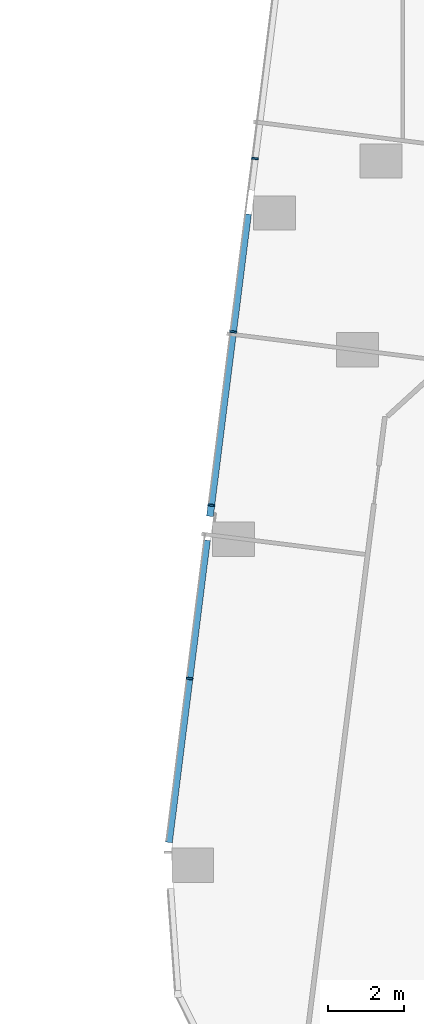
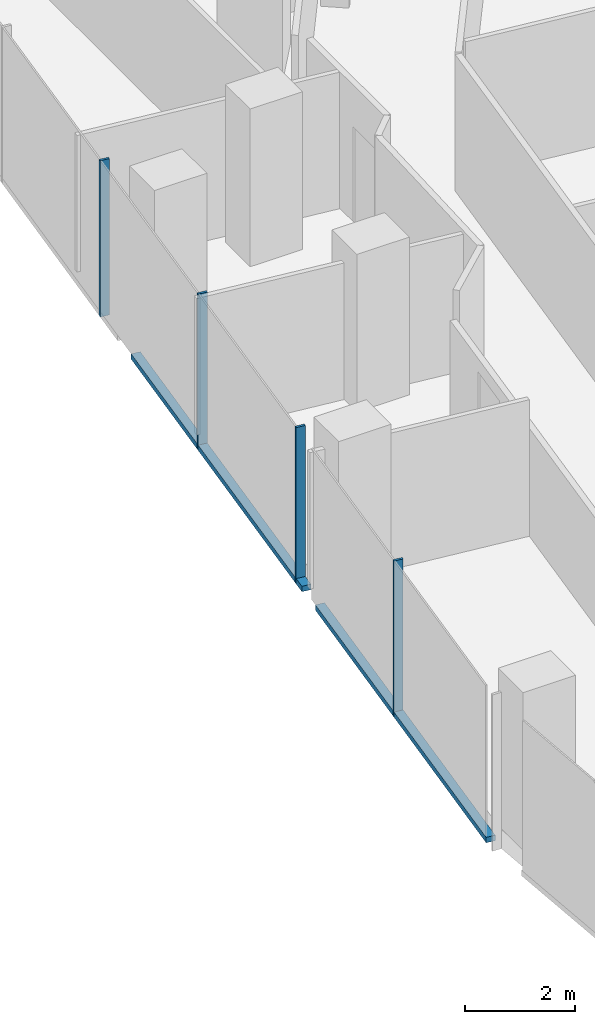
# One storey, part 3 of 27: 6 members, 1 element without a shape of its own.
"""IFC4 building model written with IfcOpenShell, lengths in metres."""

import ifcopenshell
import ifcopenshell.guid

model = None  # the IFC model being written
_history = None  # IfcOwnerHistory: only IFC2X3 demands one
_inside = {}  # id of a spatial element -> (the spatial element, [elements in it])
_under = {}  # id of a project, library or spatial element -> (it, [spatial elements below it])
_declared = {}  # id of a project -> (the project, [libraries it declares])
_typed = {}  # id of a type object -> (the type object, [elements of that type])
_made_of = {}  # id of a material, layer set ... -> (it, [elements and type objects made of it])


def new_model(schema):
    """Start an empty IFC model of exactly this schema.

    Asked for "IFC4X3", IfcOpenShell would pick the latest addendum, in which some entities
    have other attributes; the version numbers below select the first issue.
    IFC2X3 requires an IfcOwnerHistory on every rooted entity: one is made here for all.
    """
    global model, _history
    if schema == "IFC4X3":
        model = ifcopenshell.file(schema_version=(4, 3, 0, 0))
    else:
        model = ifcopenshell.file(schema=schema)
    _inside.clear()
    _under.clear()
    _declared.clear()
    _typed.clear()
    _made_of.clear()
    _history = None
    if model.schema == "IFC2X3":
        org = make("IfcOrganization", Name="unknown")
        user = make(
            "IfcPersonAndOrganization",
            ThePerson=make("IfcPerson", FamilyName="unknown"),
            TheOrganization=org,
        )
        app = make(
            "IfcApplication",
            ApplicationDeveloper=org,
            Version="unknown",
            ApplicationFullName="unknown",
            ApplicationIdentifier="unknown",
        )
        _history = make(
            "IfcOwnerHistory",
            OwningUser=user,
            OwningApplication=app,
            ChangeAction="ADDED",
            CreationDate=0,
        )
    return model


def make(cls, **values):
    """One entity of the class cls with the attributes given. An attribute that is None is left unset."""
    return model.create_entity(
        cls, **{name: value for name, value in values.items() if value is not None}
    )


def rooted(cls, **values):
    """An entity with a GlobalId (a new one), such as an element, a storey or a relation."""
    return make(cls, GlobalId=ifcopenshell.guid.new(), OwnerHistory=_history, **values)


def si_unit(unit_type, name, prefix=None):
    """IfcSIUnit, for example si_unit("LENGTHUNIT", "METRE", prefix="MILLI")."""
    return make("IfcSIUnit", UnitType=unit_type, Prefix=prefix, Name=name)


def assignment(units):
    """IfcUnitAssignment: the units of a project."""
    return None if units is None else make("IfcUnitAssignment", Units=units)


def point(xyz):
    """IfcCartesianPoint."""
    return None if xyz is None else make("IfcCartesianPoint", Coordinates=xyz)


def direction(xyz):
    """IfcDirection."""
    return None if xyz is None else make("IfcDirection", DirectionRatios=xyz)


def frame(location, z_axis=None, x_axis=None):
    """IfcAxis2Placement3D, a coordinate frame: its origin and axes. An axis left out is left unset."""
    return make(
        "IfcAxis2Placement3D",
        Location=point(location),
        Axis=direction(z_axis),
        RefDirection=direction(x_axis),
    )


def frame_2d(location, x_axis=None):
    """IfcAxis2Placement2D, a coordinate frame in the plane: its origin and x axis."""
    return make(
        "IfcAxis2Placement2D", Location=point(location), RefDirection=direction(x_axis)
    )


def origin():
    """The frame at (0, 0, 0) with its axes left unset."""
    return frame((0.0, 0.0, 0.0))


def origin_2d():
    """The frame at (0, 0) in the plane with its x axis left unset."""
    return frame_2d((0.0, 0.0))


def place(relative_to, where):
    """IfcLocalPlacement: puts the frame where relative to a parent placement (None: the world)."""
    return make(
        "IfcLocalPlacement", PlacementRelTo=relative_to, RelativePlacement=where
    )


def context(
    kind, dimensions, precision=None, world=None, true_north=None, identifier=None
):
    """IfcGeometricRepresentationContext, for example the 3D "Model" context."""
    return make(
        "IfcGeometricRepresentationContext",
        ContextIdentifier=identifier,
        ContextType=kind,
        CoordinateSpaceDimension=dimensions,
        Precision=precision,
        WorldCoordinateSystem=world,
        TrueNorth=true_north,
    )


def subcontext(parent, identifier, kind, view, scale=None):
    """IfcGeometricRepresentationSubContext, for example "Body" below "Model"."""
    return make(
        "IfcGeometricRepresentationSubContext",
        ContextIdentifier=identifier,
        ContextType=kind,
        ParentContext=parent,
        TargetScale=scale,
        TargetView=view,
    )


def project(units=None, contexts=None):
    """IfcProject with its units and contexts."""
    return rooted(
        "IfcProject",
        Name="project",
        RepresentationContexts=contexts,
        UnitsInContext=assignment(units),
    )


def spatial(cls, under=None, at=None, **own):
    """A site, building, storey or space (cls), placed at a placement, below another one or the project."""
    s = rooted(cls, ObjectPlacement=at, **own)
    if under is not None:
        _under.setdefault(under.id(), (under, []))[1].append(s)
    return s


def profile(cls, at=None, kind="AREA", **sizes):
    """A parametric profile (cls). Its sizes go by their IFC names, for example OverallWidth=200.0."""
    return make(cls, ProfileType=kind, Position=at, **sizes)


def rectangle(**sizes):
    """IfcRectangleProfileDef."""
    return profile("IfcRectangleProfileDef", **sizes)


def extrude(swept, where, along, depth):
    """IfcExtrudedAreaSolid: the profile swept, set in the frame where, extruded along a direction by depth."""
    return make(
        "IfcExtrudedAreaSolid",
        SweptArea=swept,
        Position=where,
        ExtrudedDirection=direction(along),
        Depth=depth,
    )


def shape(context_of_items, identifier, shape_type, items):
    """IfcShapeRepresentation: the items that make up one representation, for example the "Body"."""
    return make(
        "IfcShapeRepresentation",
        ContextOfItems=context_of_items,
        RepresentationIdentifier=identifier,
        RepresentationType=shape_type,
        Items=items,
    )


def material(Name=None, Category=None):
    """IfcMaterial."""
    return make("IfcMaterial", Name=Name, Category=Category)


def material_profile(
    of_material, cross_section, Name=None, Category=None, Priority=None
):
    """IfcMaterialProfile: a cross section and its material."""
    return make(
        "IfcMaterialProfile",
        Name=Name,
        Material=of_material,
        Profile=cross_section,
        Priority=Priority,
        Category=Category,
    )


def profile_set(profiles, Name=None, composite=None):
    """IfcMaterialProfileSet."""
    return make(
        "IfcMaterialProfileSet",
        Name=Name,
        MaterialProfiles=profiles,
        CompositeProfile=composite,
    )


def made_of(thing, what):
    """Note that an element or type object is made of a material, layer set ...; save() writes the relation."""
    if what is not None:
        _made_of.setdefault(what.id(), (what, []))[1].append(thing)
    return thing


def type_object(cls, material=None, **own):
    """A type object (cls), such as IfcWallType, which elements share."""
    return made_of(rooted(cls, **own), material)


def element(
    cls,
    number,
    at=None,
    inside=None,
    cuts=None,
    type_object=None,
    material=None,
    context=None,
    identifier="Body",
    shape_type=None,
    held_by="IfcProductDefinitionShape",
    body=None,
    shapes=None,
    **own,
):
    """One element of the class cls, such as IfcWall. Its Tag is "e" and its number.

    at: its placement. inside: the storey or other place that contains it. cuts: it is an
    opening in that element (IfcRelVoidsElement). A single representation is given by context,
    identifier, shape_type and body (its items); several are given by shapes. held_by: the class
    of the entity that holds the representations. save() writes the other relations.
    """
    e = rooted(cls, Tag="e%d" % number, ObjectPlacement=at, **own)
    if body is not None:
        shapes = [shape(context, identifier, shape_type, body)]
    if shapes is not None:
        e.Representation = make(held_by, Representations=shapes)
    if inside is not None:
        _inside.setdefault(inside.id(), (inside, []))[1].append(e)
    if cuts is not None:
        rooted(
            "IfcRelVoidsElement", RelatingBuildingElement=cuts, RelatedOpeningElement=e
        )
    if type_object is not None:
        _typed.setdefault(type_object.id(), (type_object, []))[1].append(e)
    return made_of(e, material)


def aggregate(whole, parts):
    """IfcRelAggregates: a whole, such as a stair, and the parts it consists of."""
    return rooted("IfcRelAggregates", RelatingObject=whole, RelatedObjects=parts)


def save(model, path):
    """Write the relations noted so far, then the file.

    IfcRelAggregates (storeys below a building ...), IfcRelContainedInSpatialStructure (elements
    in a storey), IfcRelDefinesByType, IfcRelAssociatesMaterial and IfcRelDeclares: one each for
    every whole, place, type object, material and project.
    """
    for whole, parts in _under.values():
        aggregate(whole, parts)
    for where, things in _inside.values():
        rooted(
            "IfcRelContainedInSpatialStructure",
            RelatedElements=things,
            RelatingStructure=where,
        )
    for kind, things in _typed.values():
        rooted("IfcRelDefinesByType", RelatedObjects=things, RelatingType=kind)
    for what, things in _made_of.values():
        rooted("IfcRelAssociatesMaterial", RelatedObjects=things, RelatingMaterial=what)
    for by, libraries in _declared.values():
        rooted("IfcRelDeclares", RelatingContext=by, RelatedDefinitions=libraries)
    model.write(path)


model = new_model("IFC4")

# Units and contexts
model_context = context("Model", 3, precision=1e-05, world=origin(), true_north=direction((0.0, 1.0)))
body_context = subcontext(model_context, "Body", "Model", "MODEL_VIEW")
ifc_project = project(units=[si_unit("LENGTHUNIT", "METRE"), si_unit("AREAUNIT", "SQUARE_METRE"), si_unit("VOLUMEUNIT", "CUBIC_METRE"), si_unit("PLANEANGLEUNIT", "RADIAN"), si_unit("MASSUNIT", "GRAM", prefix="KILO")], contexts=[model_context])

# Site, building, storey
site_placement = place(None, origin())
site = spatial("IfcSite", under=ifc_project, at=site_placement, CompositionType="ELEMENT")
building_placement = place(site_placement, origin())
building = spatial("IfcBuilding", under=site, at=building_placement, Name="Orlundy Tower", CompositionType="ELEMENT")
storey_placement = place(building_placement, frame((0.0, 0.0, 199.10009765625)))
storey = spatial("IfcBuildingStorey", under=building, at=storey_placement, Name="L52", CompositionType="ELEMENT", Elevation=199.10009765625)

# Curtain wall, members
ifc_material_1 = material(Name="Aluminium bronze anodised", Category="aluminium")
curtain_wall_type = type_object("IfcCurtainWallType", Name="CW1 wall", PredefinedType="NOTDEFINED", material=ifc_material_1)
curtain_wall_placement = place(storey_placement, origin())
curtain_wall = element("IfcCurtainWall", 1, at=curtain_wall_placement, inside=storey, type_object=curtain_wall_type, Name="CW1 run 00", PredefinedType="NOTDEFINED")
ifc_material_2 = material(Name="Aluminium bronze anodised", Category="aluminium")
ifc_material_profile_1 = material_profile(ifc_material_2, rectangle(XDim=0.179931640625, YDim=0.050048828125, at=origin_2d()), Name="CW1 mullion 50x180")
ifc_profile_set_1 = profile_set([ifc_material_profile_1], Name="Aluminium bronze anodised")
member_type_1 = type_object("IfcMemberType", Name="CW1 mullion 50x180", PredefinedType="MULLION", material=ifc_profile_set_1)
member_1_placement = place(storey_placement, frame((-25.598876953125, -42.550048828125, -0.420166015625), z_axis=(0.0, 0.0, 1.0), x_axis=(-0.992186526754, 0.124763360518, 0.0)))
member_1 = element("IfcMember", 2, at=member_1_placement, type_object=member_type_1, Name="CW1 mullion 2", PredefinedType="MULLION", context=body_context, shape_type="SweptSolid", body=[
    extrude(rectangle(XDim=0.179931640625, YDim=0.050048828125, at=origin_2d()), origin(), (0.0, 0.0, 1.0), 3.469970703125),
])
member_2_placement = place(storey_placement, frame((-25.0263671875, -37.9970703125, -0.420166015625), z_axis=(0.0, 0.0, 1.0), x_axis=(-0.992186526754, 0.124763360518, 0.0)))
member_2 = element("IfcMember", 3, at=member_2_placement, type_object=member_type_1, Name="CW1 mullion 3", PredefinedType="MULLION", context=body_context, shape_type="SweptSolid", body=[
    extrude(rectangle(XDim=0.179931640625, YDim=0.050048828125, at=origin_2d()), origin(), (0.0, 0.0, 1.0), 3.469970703125),
])
member_3_placement = place(storey_placement, frame((-24.453857421875, -33.4443359375, -0.420166015625), z_axis=(0.0, 0.0, 1.0), x_axis=(-0.992186526754, 0.124763360518, 0.0)))
member_3 = element("IfcMember", 4, at=member_3_placement, type_object=member_type_1, Name="CW1 mullion 4", PredefinedType="MULLION", context=body_context, shape_type="SweptSolid", body=[
    extrude(rectangle(XDim=0.179931640625, YDim=0.050048828125, at=origin_2d()), origin(), (0.0, 0.0, 1.0), 3.469970703125),
])
member_4_placement = place(storey_placement, frame((-23.88134765625, -28.891357421875, -0.420166015625), z_axis=(0.0, 0.0, 1.0), x_axis=(-0.992186526754, 0.124763360518, 0.0)))
member_4 = element("IfcMember", 5, at=member_4_placement, type_object=member_type_1, Name="CW1 mullion 5", PredefinedType="MULLION", context=body_context, shape_type="SweptSolid", body=[
    extrude(rectangle(XDim=0.179931640625, YDim=0.050048828125, at=origin_2d()), origin(), (0.0, 0.0, 1.0), 3.469970703125),
])
ifc_material_3 = material(Name="Aluminium bronze anodised", Category="aluminium")
ifc_material_profile_2 = material_profile(ifc_material_3, rectangle(XDim=0.179931640625, YDim=0.1201171875, at=origin_2d()), Name="CW1 transom 180x120")
ifc_profile_set_2 = profile_set([ifc_material_profile_2], Name="Aluminium bronze anodised")
member_type_2 = type_object("IfcMemberType", Name="CW1 transom 180x120", PredefinedType="USERDEFINED", material=ifc_profile_set_2)
member_5_placement = place(storey_placement, frame((-26.14013671875, -46.85400390625, -0.360107421875), z_axis=(0.124767189185, 0.992186045307, 0.0), x_axis=(-0.992186045307, 0.124767189185, 0.0)))
member_5 = element("IfcMember", 6, at=member_5_placement, type_object=member_type_2, Name="CW1 transom", ObjectType="TRANSOM", PredefinedType="USERDEFINED", context=body_context, shape_type="SweptSolid", body=[
    extrude(rectangle(XDim=0.179931640625, YDim=0.1201171875, at=origin_2d()), origin(), (0.0, 0.0, 1.0), 7.999267578125),
])
member_6_placement = place(storey_placement, frame((-25.06298828125, -38.2880859375, -0.360107421875), z_axis=(0.124782303734, 0.992184144539, 0.0), x_axis=(-0.992184144539, 0.124782303734, 0.0)))
member_6 = element("IfcMember", 7, at=member_6_placement, type_object=member_type_2, Name="CW1 transom", ObjectType="TRANSOM", PredefinedType="USERDEFINED", context=body_context, shape_type="SweptSolid", body=[
    extrude(rectangle(XDim=0.179931640625, YDim=0.1201171875, at=origin_2d()), origin(), (0.0, 0.0, 1.0), 7.998291015625),
])
aggregate(curtain_wall, [member_1, member_2, member_3, member_4, member_5, member_6])

save(model, "model.ifc")
